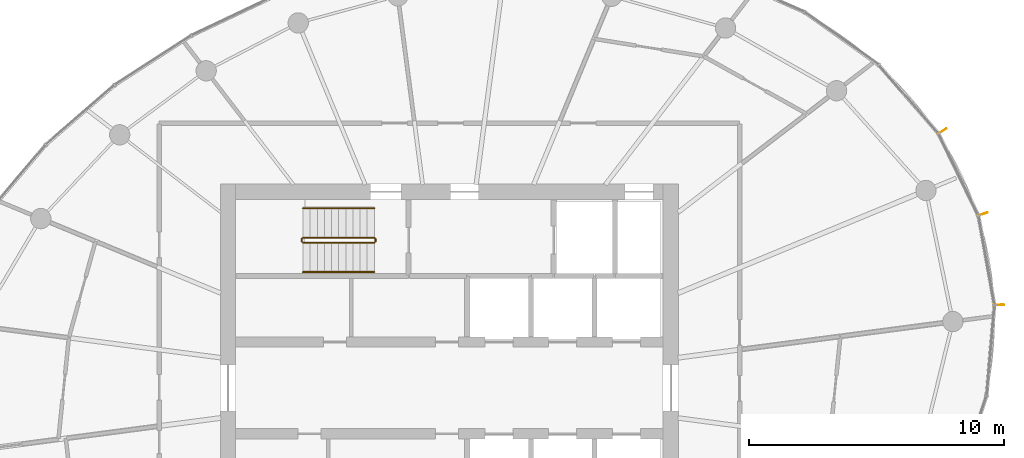
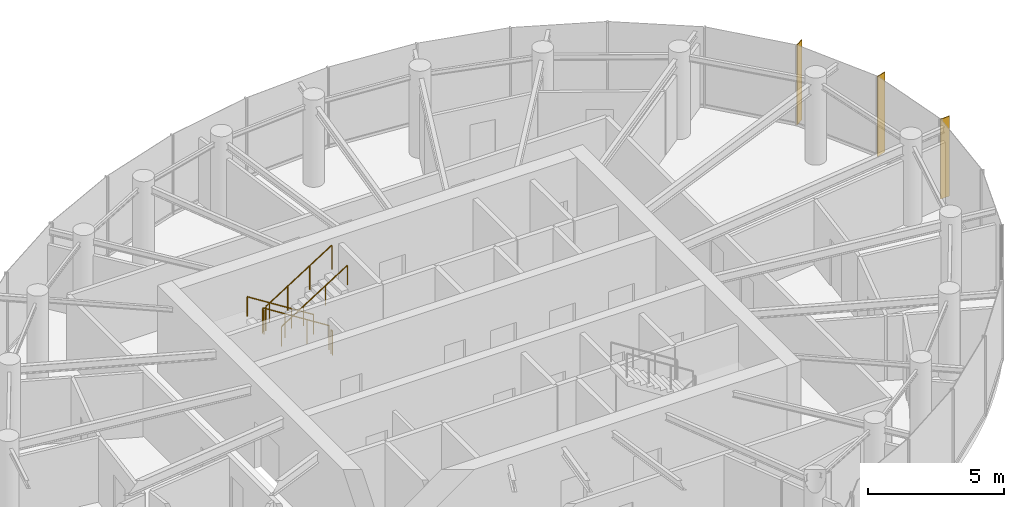
# One storey, part 13 of 13: 6 railings, 3 shading devices.
"""IFC4 building model written with IfcOpenShell, lengths in metres."""

from ifc_helpers import new_model, si_unit, direction, frame, origin, origin_2d, place, context, subcontext, project, spatial, rectangle, circle, extrude, source, transform, mapped, material, material_profile, profile_set, type_object, element, save


model = new_model("IFC4")

# Units and contexts
model_context = context("Model", 3, precision=1e-05, world=origin(), true_north=direction((0.0, 1.0)))
body_context = subcontext(model_context, "Body", "Model", "MODEL_VIEW")
ifc_project = project(units=[si_unit("LENGTHUNIT", "METRE"), si_unit("AREAUNIT", "SQUARE_METRE"), si_unit("VOLUMEUNIT", "CUBIC_METRE"), si_unit("PLANEANGLEUNIT", "RADIAN"), si_unit("MASSUNIT", "GRAM", prefix="KILO")], contexts=[model_context])

# Site, building, storey
site_placement = place(None, origin())
site = spatial("IfcSite", under=ifc_project, at=site_placement, CompositionType="ELEMENT")
building_placement = place(site_placement, origin())
building = spatial("IfcBuilding", under=site, at=building_placement, Name="Spindrift Exchange Tower", CompositionType="ELEMENT")
storey_placement = place(building_placement, frame((0.0, 0.0, 250.10009765625)))
storey = spatial("IfcBuildingStorey", under=building, at=storey_placement, Name="L61", CompositionType="ELEMENT", Elevation=250.10009765625)

# Railings
ifc_material_1 = material(Name="Steel balustrade", Category="steel")
railing_type_1 = type_object("IfcRailingType", Name="RL-STAIR-GUARD", PredefinedType="GUARDRAIL", material=ifc_material_1)
railing_1_placement = place(storey_placement, frame((49.050048828125, 53.89990234375, 0.17724609375)))
element("IfcRailing", 1, at=railing_1_placement, inside=storey, type_object=railing_type_1, Name="L61 ST1 stair guard 1", PredefinedType="GUARDRAIL", context=body_context, shape_type="SweptSolid", body=[
    extrude(circle(Radius=0.02392578125, at=origin_2d()), frame((0.0, 0.0, 1.076171875), z_axis=(-0.844908973607, 0.0, 0.534910110503), x_axis=(0.0, -1.0, 0.0)), (0.0, 0.0, 1.0), 3.31396484375),
    extrude(circle(Radius=0.02099609375, at=origin_2d()), origin(), (0.0, 0.0, 1.0), 1.052001953125),
    extrude(circle(Radius=0.02099609375, at=origin_2d()), frame((-0.933349609375, 0.0, 0.5908203125)), (0.0, 0.0, 1.0), 1.052001953125),
    extrude(circle(Radius=0.02099609375, at=origin_2d()), frame((-1.86669921875, 0.0, 1.181884765625)), (0.0, 0.0, 1.0), 1.052001953125),
    extrude(circle(Radius=0.02099609375, at=origin_2d()), frame((-2.800048828125, 0.0, 1.772705078125)), (0.0, 0.0, 1.0), 1.052001953125),
])
railing_2_placement = place(storey_placement, frame((46.199951171875, 53.85009765625, 1.949951171875)))
element("IfcRailing", 2, at=railing_2_placement, inside=storey, type_object=railing_type_1, Name="L61 ST1 stair guard 2", PredefinedType="GUARDRAIL", context=body_context, shape_type="SweptSolid", body=[
    extrude(circle(Radius=0.02392578125, at=origin_2d()), frame((0.0, 0.0, 1.076171875), z_axis=(0.0, -1.0, 0.0), x_axis=(1.0, 0.0, 0.0)), (0.0, 0.0, 1.0), 0.10009765625),
    extrude(circle(Radius=0.02099609375, at=origin_2d()), origin(), (0.0, 0.0, 1.0), 1.052001953125),
    extrude(circle(Radius=0.02099609375, at=origin_2d()), frame((0.0, -0.10009765625, 0.0)), (0.0, 0.0, 1.0), 1.052001953125),
])
railing_3_placement = place(storey_placement, frame((46.25, 53.699951171875, 2.127197265625)))
element("IfcRailing", 3, at=railing_3_placement, inside=storey, type_object=railing_type_1, Name="L61 ST1 stair guard 3", PredefinedType="GUARDRAIL", context=body_context, shape_type="SweptSolid", body=[
    extrude(circle(Radius=0.02392578125, at=origin_2d()), frame((0.0, 0.0, 1.076171875), z_axis=(0.844908973607, 0.0, 0.534910110503), x_axis=(0.0, 1.0, 0.0)), (0.0, 0.0, 1.0), 3.31396484375),
    extrude(circle(Radius=0.02099609375, at=origin_2d()), origin(), (0.0, 0.0, 1.0), 1.052001953125),
    extrude(circle(Radius=0.02099609375, at=origin_2d()), frame((0.933349609375, 0.0, 0.5908203125)), (0.0, 0.0, 1.0), 1.052001953125),
    extrude(circle(Radius=0.02099609375, at=origin_2d()), frame((1.86669921875, 0.0, 1.181884765625)), (0.0, 0.0, 1.0), 1.052001953125),
    extrude(circle(Radius=0.02099609375, at=origin_2d()), frame((2.800048828125, 0.0, 1.772705078125)), (0.0, 0.0, 1.0), 1.052001953125),
])
railing_4_placement = place(storey_placement, frame((49.10009765625, 53.85009765625, 0.0)))
element("IfcRailing", 4, at=railing_4_placement, inside=storey, type_object=railing_type_1, Name="L61 ST1 stair guard 4", PredefinedType="GUARDRAIL", context=body_context, shape_type="SweptSolid", body=[
    extrude(circle(Radius=0.02392578125, at=origin_2d()), frame((0.0, 0.0, 1.076171875), z_axis=(0.0, -1.0, 0.0), x_axis=(1.0, 0.0, 0.0)), (0.0, 0.0, 1.0), 0.10009765625),
    extrude(circle(Radius=0.02099609375, at=origin_2d()), origin(), (0.0, 0.0, 1.0), 1.052001953125),
    extrude(circle(Radius=0.02099609375, at=origin_2d()), frame((0.0, -0.10009765625, 0.0)), (0.0, 0.0, 1.0), 1.052001953125),
])
ifc_material_2 = material(Name="Steel tubular handrail", Category="steel")
railing_type_2 = type_object("IfcRailingType", Name="RL-STAIR-HAND", PredefinedType="HANDRAIL", material=ifc_material_2)
railing_5_placement = place(storey_placement, frame((49.050048828125, 55.050048828125, 0.17724609375)))
element("IfcRailing", 5, at=railing_5_placement, inside=storey, type_object=railing_type_2, Name="L61 ST1 stair handrail 1", PredefinedType="HANDRAIL", context=body_context, shape_type="SweptSolid", body=[
    extrude(circle(Radius=0.02392578125, at=origin_2d()), frame((0.0, 0.0, 0.8759765625), z_axis=(-0.844908973607, 0.0, 0.534910110503), x_axis=(0.0, -1.0, 0.0)), (0.0, 0.0, 1.0), 3.31396484375),
    extrude(circle(Radius=0.02099609375, at=origin_2d()), origin(), (0.0, 0.0, 1.0), 0.851806640625),
    extrude(circle(Radius=0.02099609375, at=origin_2d()), frame((-0.933349609375, 0.0, 0.5908203125)), (0.0, 0.0, 1.0), 0.851806640625),
    extrude(circle(Radius=0.02099609375, at=origin_2d()), frame((-1.86669921875, 0.0, 1.181884765625)), (0.0, 0.0, 1.0), 0.851806640625),
    extrude(circle(Radius=0.02099609375, at=origin_2d()), frame((-2.800048828125, 0.0, 1.772705078125)), (0.0, 0.0, 1.0), 0.851806640625),
])
railing_6_placement = place(storey_placement, frame((46.25, 52.550048828125, 2.127197265625)))
element("IfcRailing", 6, at=railing_6_placement, inside=storey, type_object=railing_type_2, Name="L61 ST1 stair handrail 2", PredefinedType="HANDRAIL", context=body_context, shape_type="SweptSolid", body=[
    extrude(circle(Radius=0.02392578125, at=origin_2d()), frame((0.0, 0.0, 0.8759765625), z_axis=(0.844908973607, 0.0, 0.534910110503), x_axis=(0.0, 1.0, 0.0)), (0.0, 0.0, 1.0), 3.31396484375),
    extrude(circle(Radius=0.02099609375, at=origin_2d()), origin(), (0.0, 0.0, 1.0), 0.851806640625),
    extrude(circle(Radius=0.02099609375, at=origin_2d()), frame((0.933349609375, 0.0, 0.5908203125)), (0.0, 0.0, 1.0), 0.851806640625),
    extrude(circle(Radius=0.02099609375, at=origin_2d()), frame((1.86669921875, 0.0, 1.181884765625)), (0.0, 0.0, 1.0), 0.851806640625),
    extrude(circle(Radius=0.02099609375, at=origin_2d()), frame((2.800048828125, 0.0, 1.772705078125)), (0.0, 0.0, 1.0), 0.851806640625),
])

# Shading devices
ifc_material_3 = material(Name="Bronze anodised aluminium", Category="aluminium")
ifc_material_profile = material_profile(ifc_material_3, rectangle(XDim=0.030029296875, YDim=0.39990234375, at=origin_2d()), Name="WIND FIN 30X400")
ifc_profile_set = profile_set([ifc_material_profile], Name="Bronze anodised aluminium")
shading_device_type = type_object("IfcShadingDeviceType", Name="WIND FIN 30X400", PredefinedType="USERDEFINED", material=ifc_profile_set)
shared_shape = source(origin(), body_context, "Body", "SweptSolid", [
    extrude(rectangle(XDim=0.030029296875, YDim=0.39990234375, at=origin_2d()), origin(), (0.0, 0.0, 1.0), 3.579833984375),
])
for number, where, z_axis, x_axis, name in (
    (7, (72.946044921875, 54.82373046875, 0.0), (0.0, 0.0, 1.0), (-0.309762197548, 0.950814062249, 0.0), "L61 wind fin 4"),
    (8, (71.36181640625, 58.082275390625, 0.0), (0.0, 0.0, 1.0), (-0.551752135279, 0.834008142175, 0.0), "L61 wind fin 5"),
    (9, (73.585205078125, 51.25732421875, 0.0), (0.0, 0.0, 1.0), (-0.045389141102, 0.998969381848, 0.0), "L61 wind fin 6"),
):
    element("IfcShadingDevice", number, at=place(storey_placement, frame(where, z_axis=z_axis, x_axis=x_axis)), inside=storey, type_object=shading_device_type, Name=name, ObjectType="FIN", PredefinedType="USERDEFINED", context=body_context, shape_type="MappedRepresentation", body=[
        mapped(shared_shape, transform((0.0, 0.0, 0.0), scale=1.0)),
    ])

save(model, "model.ifc")
